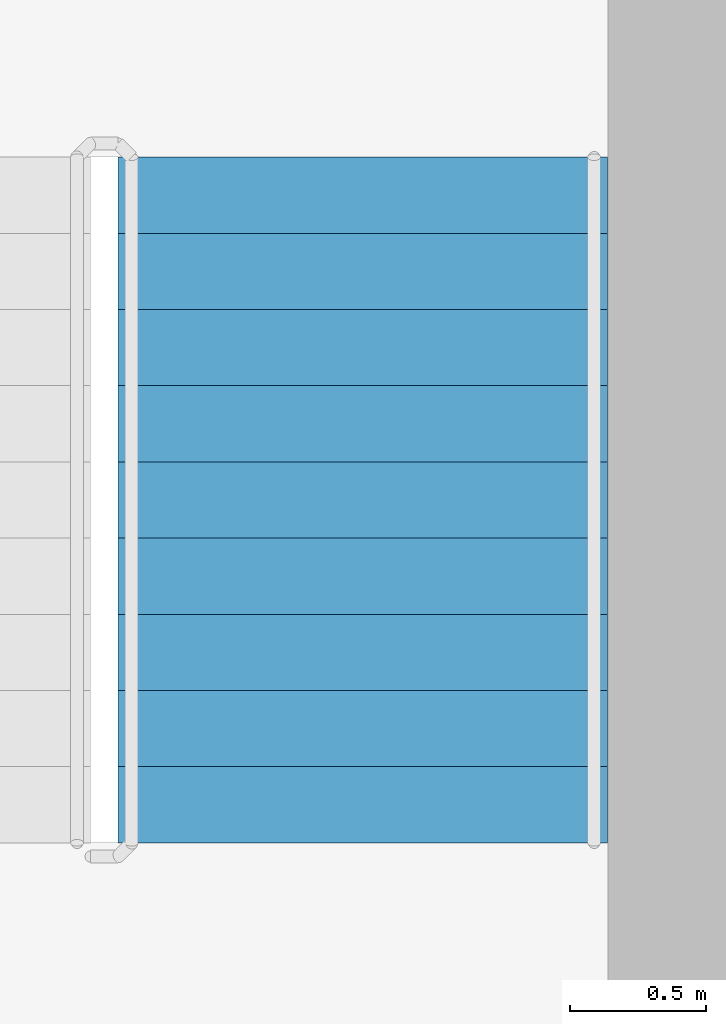
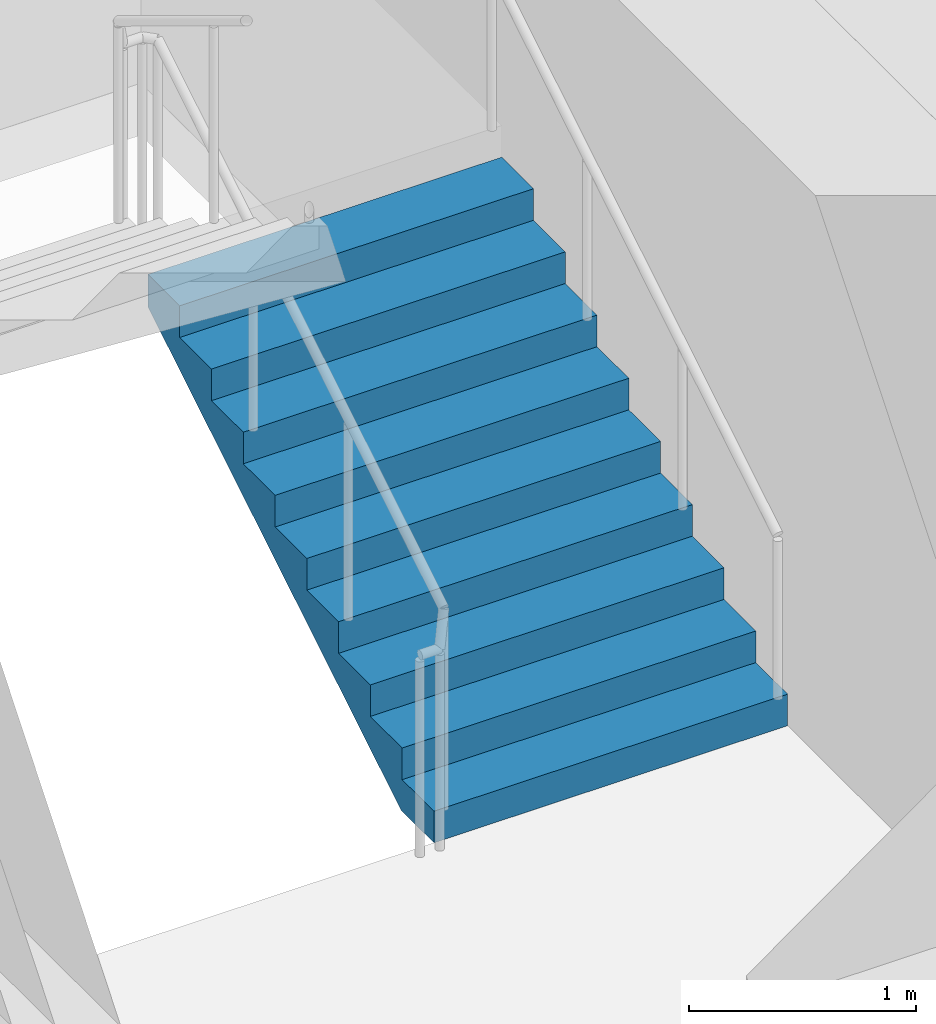
# One storey, part 18 of 22: 1 stair flight, 1 element without a shape of its own.
"""IFC4 building model written with IfcOpenShell, lengths in metres."""

from ifc_helpers import new_model, si_unit, direction, frame, origin, place, context, subcontext, project, spatial, triangles, source, transform, mapped, material, type_object, element, aggregate, save


model = new_model("IFC4")

# Units and contexts
model_context = context("Model", 3, precision=1e-05, world=origin(), true_north=direction((0.0, 1.0)))
body_context = subcontext(model_context, "Body", "Model", "MODEL_VIEW")
ifc_project = project(units=[si_unit("LENGTHUNIT", "METRE"), si_unit("AREAUNIT", "SQUARE_METRE"), si_unit("VOLUMEUNIT", "CUBIC_METRE"), si_unit("PLANEANGLEUNIT", "RADIAN"), si_unit("MASSUNIT", "GRAM", prefix="KILO")], contexts=[model_context])

# Site, building, storey
site_placement = place(None, origin())
site = spatial("IfcSite", under=ifc_project, at=site_placement, CompositionType="ELEMENT")
building_placement = place(site_placement, origin())
building = spatial("IfcBuilding", under=site, at=building_placement, Name="Kilnfold Tower and Market Hall", CompositionType="ELEMENT")
storey_placement = place(building_placement, frame((0.0, 0.0, 220.300048828125)))
storey = spatial("IfcBuildingStorey", under=building, at=storey_placement, Name="L54", CompositionType="ELEMENT", Elevation=220.300048828125)

# Stair, stair flight
ifc_material_1 = material(Name="Concrete C40/50", Category="concrete")
stair_type = type_object("IfcStairType", Name="CORE STAIR 1800", PredefinedType="HALF_TURN_STAIR", material=ifc_material_1)
stair_placement = place(storey_placement, origin())
stair = element("IfcStair", 1, at=stair_placement, inside=storey, type_object=stair_type, Name="L54 ST2", PredefinedType="HALF_TURN_STAIR")
ifc_material_2 = material(Name="Concrete C40/50", Category="concrete")
stair_flight_type = type_object("IfcStairFlightType", Name="CORE STAIR FLIGHT 1800", PredefinedType="STRAIGHT", material=ifc_material_2)
shared_shape = source(origin(), body_context, "Body", "Tessellation", [
    triangles([(0.0, 0.89990234375, 0.0), (0.0, 0.78759765625, 0.0), (0.0, 0.675048828125, 0.0), (0.0, 0.5625, 0.0), (0.0, 0.449951171875, 0.0), (0.0, 0.33740234375, 0.0), (0.0, 0.22509765625, 0.0), (0.0, 0.112548828125, 0.0), (0.0, 0.0, 0.0), (0.0, -0.112548828125, 0.0), (0.0, -0.22509765625, 0.0), (0.0, -0.33740234375, 0.0), (0.0, -0.449951171875, 0.0), (0.0, -0.5625, 0.0), (0.0, -0.675048828125, 0.0), (0.0, -0.78759765625, 0.0), (0.0, -0.89990234375, 0.0), (0.0, 0.89990234375, 0.169921875), (0.0, 0.78759765625, 0.169921875), (0.0, 0.675048828125, 0.169921875), (0.0, 0.5625, 0.169921875), (0.0, 0.449951171875, 0.169921875), (0.0, 0.33740234375, 0.169921875), (0.0, 0.22509765625, 0.169921875), (0.0, 0.112548828125, 0.169921875), (0.0, 0.0, 0.169921875), (0.0, -0.112548828125, 0.169921875), (0.0, -0.22509765625, 0.169921875), (0.0, -0.33740234375, 0.169921875), (0.0, -0.449951171875, 0.169921875), (0.0, -0.5625, 0.169921875), (0.0, -0.675048828125, 0.169921875), (0.0, -0.78759765625, 0.169921875), (0.0, -0.89990234375, 0.169921875), (0.280029296875, 0.89990234375, 0.169921875), (0.280029296875, 0.78759765625, 0.169921875), (0.280029296875, 0.675048828125, 0.169921875), (0.280029296875, 0.5625, 0.169921875), (0.280029296875, 0.449951171875, 0.169921875), (0.280029296875, 0.33740234375, 0.169921875), (0.280029296875, 0.22509765625, 0.169921875), (0.280029296875, 0.112548828125, 0.169921875), (0.280029296875, 0.0, 0.169921875), (0.280029296875, -0.112548828125, 0.169921875), (0.280029296875, -0.22509765625, 0.169921875), (0.280029296875, -0.33740234375, 0.169921875), (0.280029296875, -0.449951171875, 0.169921875), (0.280029296875, -0.5625, 0.169921875), (0.280029296875, -0.675048828125, 0.169921875), (0.280029296875, -0.78759765625, 0.169921875), (0.280029296875, -0.89990234375, 0.169921875), (0.280029296875, 0.89990234375, 0.340087890625), (0.280029296875, 0.78759765625, 0.340087890625), (0.280029296875, 0.675048828125, 0.340087890625), (0.280029296875, 0.5625, 0.340087890625), (0.280029296875, 0.449951171875, 0.340087890625), (0.280029296875, 0.33740234375, 0.340087890625), (0.280029296875, 0.22509765625, 0.340087890625), (0.280029296875, 0.112548828125, 0.340087890625), (0.280029296875, 0.0, 0.340087890625), (0.280029296875, -0.112548828125, 0.340087890625), (0.280029296875, -0.22509765625, 0.340087890625), (0.280029296875, -0.33740234375, 0.340087890625), (0.280029296875, -0.449951171875, 0.340087890625), (0.280029296875, -0.5625, 0.340087890625), (0.280029296875, -0.675048828125, 0.340087890625), (0.280029296875, -0.78759765625, 0.340087890625), (0.280029296875, -0.89990234375, 0.340087890625), (0.56005859375, 0.89990234375, 0.340087890625), (0.56005859375, 0.78759765625, 0.340087890625), (0.56005859375, 0.675048828125, 0.340087890625), (0.56005859375, 0.5625, 0.340087890625), (0.56005859375, 0.449951171875, 0.340087890625), (0.56005859375, 0.33740234375, 0.340087890625), (0.56005859375, 0.22509765625, 0.340087890625), (0.56005859375, 0.112548828125, 0.340087890625), (0.56005859375, 0.0, 0.340087890625), (0.56005859375, -0.112548828125, 0.340087890625), (0.56005859375, -0.22509765625, 0.340087890625), (0.56005859375, -0.33740234375, 0.340087890625), (0.56005859375, -0.449951171875, 0.340087890625), (0.56005859375, -0.5625, 0.340087890625), (0.56005859375, -0.675048828125, 0.340087890625), (0.56005859375, -0.78759765625, 0.340087890625), (0.56005859375, -0.89990234375, 0.340087890625), (0.56005859375, 0.89990234375, 0.510009765625), (0.56005859375, 0.78759765625, 0.510009765625), (0.56005859375, 0.675048828125, 0.510009765625), (0.56005859375, 0.5625, 0.510009765625), (0.56005859375, 0.449951171875, 0.510009765625), (0.56005859375, 0.33740234375, 0.510009765625), (0.56005859375, 0.22509765625, 0.510009765625), (0.56005859375, 0.112548828125, 0.510009765625), (0.56005859375, 0.0, 0.510009765625), (0.56005859375, -0.112548828125, 0.510009765625), (0.56005859375, -0.22509765625, 0.510009765625), (0.56005859375, -0.33740234375, 0.510009765625), (0.56005859375, -0.449951171875, 0.510009765625), (0.56005859375, -0.5625, 0.510009765625), (0.56005859375, -0.675048828125, 0.510009765625), (0.56005859375, -0.78759765625, 0.510009765625), (0.56005859375, -0.89990234375, 0.510009765625), (0.840087890625, 0.89990234375, 0.510009765625), (0.840087890625, 0.78759765625, 0.510009765625), (0.840087890625, 0.675048828125, 0.510009765625), (0.840087890625, 0.5625, 0.510009765625), (0.840087890625, 0.449951171875, 0.510009765625), (0.840087890625, 0.33740234375, 0.510009765625), (0.840087890625, 0.22509765625, 0.510009765625), (0.840087890625, 0.112548828125, 0.510009765625), (0.840087890625, 0.0, 0.510009765625), (0.840087890625, -0.112548828125, 0.510009765625), (0.840087890625, -0.22509765625, 0.510009765625), (0.840087890625, -0.33740234375, 0.510009765625), (0.840087890625, -0.449951171875, 0.510009765625), (0.840087890625, -0.5625, 0.510009765625), (0.840087890625, -0.675048828125, 0.510009765625), (0.840087890625, -0.78759765625, 0.510009765625), (0.840087890625, -0.89990234375, 0.510009765625), (0.840087890625, 0.89990234375, 0.679931640625), (0.840087890625, 0.78759765625, 0.679931640625), (0.840087890625, 0.675048828125, 0.679931640625), (0.840087890625, 0.5625, 0.679931640625), (0.840087890625, 0.449951171875, 0.679931640625), (0.840087890625, 0.33740234375, 0.679931640625), (0.840087890625, 0.22509765625, 0.679931640625), (0.840087890625, 0.112548828125, 0.679931640625), (0.840087890625, 0.0, 0.679931640625), (0.840087890625, -0.112548828125, 0.679931640625), (0.840087890625, -0.22509765625, 0.679931640625), (0.840087890625, -0.33740234375, 0.679931640625), (0.840087890625, -0.449951171875, 0.679931640625), (0.840087890625, -0.5625, 0.679931640625), (0.840087890625, -0.675048828125, 0.679931640625), (0.840087890625, -0.78759765625, 0.679931640625), (0.840087890625, -0.89990234375, 0.679931640625), (1.1201171875, 0.89990234375, 0.679931640625), (1.1201171875, 0.78759765625, 0.679931640625), (1.1201171875, 0.675048828125, 0.679931640625), (1.1201171875, 0.5625, 0.679931640625), (1.1201171875, 0.449951171875, 0.679931640625), (1.1201171875, 0.33740234375, 0.679931640625), (1.1201171875, 0.22509765625, 0.679931640625), (1.1201171875, 0.112548828125, 0.679931640625), (1.1201171875, 0.0, 0.679931640625), (1.1201171875, -0.112548828125, 0.679931640625), (1.1201171875, -0.22509765625, 0.679931640625), (1.1201171875, -0.33740234375, 0.679931640625), (1.1201171875, -0.449951171875, 0.679931640625), (1.1201171875, -0.5625, 0.679931640625), (1.1201171875, -0.675048828125, 0.679931640625), (1.1201171875, -0.78759765625, 0.679931640625), (1.1201171875, -0.89990234375, 0.679931640625), (1.1201171875, 0.89990234375, 0.85009765625), (1.1201171875, 0.78759765625, 0.85009765625), (1.1201171875, 0.675048828125, 0.85009765625), (1.1201171875, 0.5625, 0.85009765625), (1.1201171875, 0.449951171875, 0.85009765625), (1.1201171875, 0.33740234375, 0.85009765625), (1.1201171875, 0.22509765625, 0.85009765625), (1.1201171875, 0.112548828125, 0.85009765625), (1.1201171875, 0.0, 0.85009765625), (1.1201171875, -0.112548828125, 0.85009765625), (1.1201171875, -0.22509765625, 0.85009765625), (1.1201171875, -0.33740234375, 0.85009765625), (1.1201171875, -0.449951171875, 0.85009765625), (1.1201171875, -0.5625, 0.85009765625), (1.1201171875, -0.675048828125, 0.85009765625), (1.1201171875, -0.78759765625, 0.85009765625), (1.1201171875, -0.89990234375, 0.85009765625), (1.39990234375, 0.89990234375, 0.85009765625), (1.39990234375, 0.78759765625, 0.85009765625), (1.39990234375, 0.675048828125, 0.85009765625), (1.39990234375, 0.5625, 0.85009765625), (1.39990234375, 0.449951171875, 0.85009765625), (1.39990234375, 0.33740234375, 0.85009765625), (1.39990234375, 0.22509765625, 0.85009765625), (1.39990234375, 0.112548828125, 0.85009765625), (1.39990234375, 0.0, 0.85009765625), (1.39990234375, -0.112548828125, 0.85009765625), (1.39990234375, -0.22509765625, 0.85009765625), (1.39990234375, -0.33740234375, 0.85009765625), (1.39990234375, -0.449951171875, 0.85009765625), (1.39990234375, -0.5625, 0.85009765625), (1.39990234375, -0.675048828125, 0.85009765625), (1.39990234375, -0.78759765625, 0.85009765625), (1.39990234375, -0.89990234375, 0.85009765625), (1.39990234375, 0.89990234375, 1.02001953125), (1.39990234375, 0.78759765625, 1.02001953125), (1.39990234375, 0.675048828125, 1.02001953125), (1.39990234375, 0.5625, 1.02001953125), (1.39990234375, 0.449951171875, 1.02001953125), (1.39990234375, 0.33740234375, 1.02001953125), (1.39990234375, 0.22509765625, 1.02001953125), (1.39990234375, 0.112548828125, 1.02001953125), (1.39990234375, 0.0, 1.02001953125), (1.39990234375, -0.112548828125, 1.02001953125), (1.39990234375, -0.22509765625, 1.02001953125), (1.39990234375, -0.33740234375, 1.02001953125), (1.39990234375, -0.449951171875, 1.02001953125), (1.39990234375, -0.5625, 1.02001953125), (1.39990234375, -0.675048828125, 1.02001953125), (1.39990234375, -0.78759765625, 1.02001953125), (1.39990234375, -0.89990234375, 1.02001953125), (1.679931640625, 0.89990234375, 1.02001953125), (1.679931640625, 0.78759765625, 1.02001953125), (1.679931640625, 0.675048828125, 1.02001953125), (1.679931640625, 0.5625, 1.02001953125), (1.679931640625, 0.449951171875, 1.02001953125), (1.679931640625, 0.33740234375, 1.02001953125), (1.679931640625, 0.22509765625, 1.02001953125), (1.679931640625, 0.112548828125, 1.02001953125), (1.679931640625, 0.0, 1.02001953125), (1.679931640625, -0.112548828125, 1.02001953125), (1.679931640625, -0.22509765625, 1.02001953125), (1.679931640625, -0.33740234375, 1.02001953125), (1.679931640625, -0.449951171875, 1.02001953125), (1.679931640625, -0.5625, 1.02001953125), (1.679931640625, -0.675048828125, 1.02001953125), (1.679931640625, -0.78759765625, 1.02001953125), (1.679931640625, -0.89990234375, 1.02001953125), (1.679931640625, 0.89990234375, 1.18994140625), (1.679931640625, 0.78759765625, 1.18994140625), (1.679931640625, 0.675048828125, 1.18994140625), (1.679931640625, 0.5625, 1.18994140625), (1.679931640625, 0.449951171875, 1.18994140625), (1.679931640625, 0.33740234375, 1.18994140625), (1.679931640625, 0.22509765625, 1.18994140625), (1.679931640625, 0.112548828125, 1.18994140625), (1.679931640625, 0.0, 1.18994140625), (1.679931640625, -0.112548828125, 1.18994140625), (1.679931640625, -0.22509765625, 1.18994140625), (1.679931640625, -0.33740234375, 1.18994140625), (1.679931640625, -0.449951171875, 1.18994140625), (1.679931640625, -0.5625, 1.18994140625), (1.679931640625, -0.675048828125, 1.18994140625), (1.679931640625, -0.78759765625, 1.18994140625), (1.679931640625, -0.89990234375, 1.18994140625), (1.9599609375, 0.89990234375, 1.18994140625), (1.9599609375, 0.78759765625, 1.18994140625), (1.9599609375, 0.675048828125, 1.18994140625), (1.9599609375, 0.5625, 1.18994140625), (1.9599609375, 0.449951171875, 1.18994140625), (1.9599609375, 0.33740234375, 1.18994140625), (1.9599609375, 0.22509765625, 1.18994140625), (1.9599609375, 0.112548828125, 1.18994140625), (1.9599609375, 0.0, 1.18994140625), (1.9599609375, -0.112548828125, 1.18994140625), (1.9599609375, -0.22509765625, 1.18994140625), (1.9599609375, -0.33740234375, 1.18994140625), (1.9599609375, -0.449951171875, 1.18994140625), (1.9599609375, -0.5625, 1.18994140625), (1.9599609375, -0.675048828125, 1.18994140625), (1.9599609375, -0.78759765625, 1.18994140625), (1.9599609375, -0.89990234375, 1.18994140625), (1.9599609375, 0.89990234375, 1.360107421875), (1.9599609375, 0.78759765625, 1.360107421875), (1.9599609375, 0.675048828125, 1.360107421875), (1.9599609375, 0.5625, 1.360107421875), (1.9599609375, 0.449951171875, 1.360107421875), (1.9599609375, 0.33740234375, 1.360107421875), (1.9599609375, 0.22509765625, 1.360107421875), (1.9599609375, 0.112548828125, 1.360107421875), (1.9599609375, 0.0, 1.360107421875), (1.9599609375, -0.112548828125, 1.360107421875), (1.9599609375, -0.22509765625, 1.360107421875), (1.9599609375, -0.33740234375, 1.360107421875), (1.9599609375, -0.449951171875, 1.360107421875), (1.9599609375, -0.5625, 1.360107421875), (1.9599609375, -0.675048828125, 1.360107421875), (1.9599609375, -0.78759765625, 1.360107421875), (1.9599609375, -0.89990234375, 1.360107421875), (2.239990234375, 0.89990234375, 1.360107421875), (2.239990234375, 0.78759765625, 1.360107421875), (2.239990234375, 0.675048828125, 1.360107421875), (2.239990234375, 0.5625, 1.360107421875), (2.239990234375, 0.449951171875, 1.360107421875), (2.239990234375, 0.33740234375, 1.360107421875), (2.239990234375, 0.22509765625, 1.360107421875), (2.239990234375, 0.112548828125, 1.360107421875), (2.239990234375, 0.0, 1.360107421875), (2.239990234375, -0.112548828125, 1.360107421875), (2.239990234375, -0.22509765625, 1.360107421875), (2.239990234375, -0.33740234375, 1.360107421875), (2.239990234375, -0.449951171875, 1.360107421875), (2.239990234375, -0.5625, 1.360107421875), (2.239990234375, -0.675048828125, 1.360107421875), (2.239990234375, -0.78759765625, 1.360107421875), (2.239990234375, -0.89990234375, 1.360107421875), (2.239990234375, 0.89990234375, 1.530029296875), (2.239990234375, 0.78759765625, 1.530029296875), (2.239990234375, 0.675048828125, 1.530029296875), (2.239990234375, 0.5625, 1.530029296875), (2.239990234375, 0.449951171875, 1.530029296875), (2.239990234375, 0.33740234375, 1.530029296875), (2.239990234375, 0.22509765625, 1.530029296875), (2.239990234375, 0.112548828125, 1.530029296875), (2.239990234375, 0.0, 1.530029296875), (2.239990234375, -0.112548828125, 1.530029296875), (2.239990234375, -0.22509765625, 1.530029296875), (2.239990234375, -0.33740234375, 1.530029296875), (2.239990234375, -0.449951171875, 1.530029296875), (2.239990234375, -0.5625, 1.530029296875), (2.239990234375, -0.675048828125, 1.530029296875), (2.239990234375, -0.78759765625, 1.530029296875), (2.239990234375, -0.89990234375, 1.530029296875), (2.52001953125, 0.89990234375, 1.530029296875), (2.52001953125, 0.78759765625, 1.530029296875), (2.52001953125, 0.675048828125, 1.530029296875), (2.52001953125, 0.5625, 1.530029296875), (2.52001953125, 0.449951171875, 1.530029296875), (2.52001953125, 0.33740234375, 1.530029296875), (2.52001953125, 0.22509765625, 1.530029296875), (2.52001953125, 0.112548828125, 1.530029296875), (2.52001953125, 0.0, 1.530029296875), (2.52001953125, -0.112548828125, 1.530029296875), (2.52001953125, -0.22509765625, 1.530029296875), (2.52001953125, -0.33740234375, 1.530029296875), (2.52001953125, -0.449951171875, 1.530029296875), (2.52001953125, -0.5625, 1.530029296875), (2.52001953125, -0.675048828125, 1.530029296875), (2.52001953125, -0.78759765625, 1.530029296875), (2.52001953125, -0.89990234375, 1.530029296875), (2.52001953125, 0.89990234375, 1.354736328125), (2.52001953125, 0.78759765625, 1.354736328125), (2.52001953125, 0.675048828125, 1.354736328125), (2.52001953125, 0.5625, 1.354736328125), (2.52001953125, 0.449951171875, 1.354736328125), (2.52001953125, 0.33740234375, 1.354736328125), (2.52001953125, 0.22509765625, 1.354736328125), (2.52001953125, 0.112548828125, 1.354736328125), (2.52001953125, 0.0, 1.354736328125), (2.52001953125, -0.112548828125, 1.354736328125), (2.52001953125, -0.22509765625, 1.354736328125), (2.52001953125, -0.33740234375, 1.354736328125), (2.52001953125, -0.449951171875, 1.354736328125), (2.52001953125, -0.5625, 1.354736328125), (2.52001953125, -0.675048828125, 1.354736328125), (2.52001953125, -0.78759765625, 1.354736328125), (2.52001953125, -0.89990234375, 1.354736328125), (0.288818359375, 0.89990234375, 0.0), (0.288818359375, 0.78759765625, 0.0), (0.288818359375, 0.675048828125, 0.0), (0.288818359375, 0.5625, 0.0), (0.288818359375, 0.449951171875, 0.0), (0.288818359375, 0.33740234375, 0.0), (0.288818359375, 0.22509765625, 0.0), (0.288818359375, 0.112548828125, 0.0), (0.288818359375, 0.0, 0.0), (0.288818359375, -0.112548828125, 0.0), (0.288818359375, -0.22509765625, 0.0), (0.288818359375, -0.33740234375, 0.0), (0.288818359375, -0.449951171875, 0.0), (0.288818359375, -0.5625, 0.0), (0.288818359375, -0.675048828125, 0.0), (0.288818359375, -0.78759765625, 0.0), (0.288818359375, -0.89990234375, 0.0)], [[1, 324, 341], [17, 357, 340], [324, 290, 307], [340, 323, 306], [324, 273, 290], [340, 306, 289], [324, 256, 273], [340, 289, 272], [324, 239, 256], [340, 272, 255], [239, 205, 222], [255, 238, 221], [324, 205, 239], [340, 255, 221], [205, 171, 188], [221, 204, 187], [324, 171, 205], [340, 221, 187], [171, 137, 154], [187, 170, 153], [324, 137, 171], [340, 187, 153], [137, 103, 120], [153, 136, 119], [324, 103, 137], [340, 153, 119], [103, 69, 86], [119, 102, 85], [324, 69, 103], [340, 119, 85], [69, 35, 52], [85, 68, 51], [324, 35, 69], [340, 85, 51], [1, 35, 324], [17, 340, 51], [35, 1, 18], [51, 34, 17], [1, 19, 18], [1, 2, 19], [2, 20, 19], [2, 3, 20], [3, 21, 20], [3, 4, 21], [4, 22, 21], [4, 5, 22], [5, 23, 22], [5, 6, 23], [6, 24, 23], [6, 7, 24], [7, 25, 24], [7, 8, 25], [8, 26, 25], [8, 9, 26], [9, 27, 26], [9, 10, 27], [10, 28, 27], [10, 11, 28], [11, 29, 28], [11, 12, 29], [12, 30, 29], [12, 13, 30], [13, 31, 30], [13, 14, 31], [14, 32, 31], [14, 15, 32], [15, 33, 32], [15, 16, 33], [16, 34, 33], [16, 17, 34], [18, 36, 35], [18, 19, 36], [19, 37, 36], [19, 20, 37], [20, 38, 37], [20, 21, 38], [21, 39, 38], [21, 22, 39], [22, 40, 39], [22, 23, 40], [23, 41, 40], [23, 24, 41], [24, 42, 41], [24, 25, 42], [25, 43, 42], [25, 26, 43], [26, 44, 43], [26, 27, 44], [27, 45, 44], [27, 28, 45], [28, 46, 45], [28, 29, 46], [29, 47, 46], [29, 30, 47], [30, 48, 47], [30, 31, 48], [31, 49, 48], [31, 32, 49], [32, 50, 49], [32, 33, 50], [33, 51, 50], [33, 34, 51], [35, 53, 52], [35, 36, 53], [36, 54, 53], [36, 37, 54], [37, 55, 54], [37, 38, 55], [38, 56, 55], [38, 39, 56], [39, 57, 56], [39, 40, 57], [40, 58, 57], [40, 41, 58], [41, 59, 58], [41, 42, 59], [42, 60, 59], [42, 43, 60], [43, 61, 60], [43, 44, 61], [44, 62, 61], [44, 45, 62], [45, 63, 62], [45, 46, 63], [46, 64, 63], [46, 47, 64], [47, 65, 64], [47, 48, 65], [48, 66, 65], [48, 49, 66], [49, 67, 66], [49, 50, 67], [50, 68, 67], [50, 51, 68], [52, 70, 69], [52, 53, 70], [53, 71, 70], [53, 54, 71], [54, 72, 71], [54, 55, 72], [55, 73, 72], [55, 56, 73], [56, 74, 73], [56, 57, 74], [57, 75, 74], [57, 58, 75], [58, 76, 75], [58, 59, 76], [59, 77, 76], [59, 60, 77], [60, 78, 77], [60, 61, 78], [61, 79, 78], [61, 62, 79], [62, 80, 79], [62, 63, 80], [63, 81, 80], [63, 64, 81], [64, 82, 81], [64, 65, 82], [65, 83, 82], [65, 66, 83], [66, 84, 83], [66, 67, 84], [67, 85, 84], [67, 68, 85], [69, 87, 86], [69, 70, 87], [70, 88, 87], [70, 71, 88], [71, 89, 88], [71, 72, 89], [72, 90, 89], [72, 73, 90], [73, 91, 90], [73, 74, 91], [74, 92, 91], [74, 75, 92], [75, 93, 92], [75, 76, 93], [76, 94, 93], [76, 77, 94], [77, 95, 94], [77, 78, 95], [78, 96, 95], [78, 79, 96], [79, 97, 96], [79, 80, 97], [80, 98, 97], [80, 81, 98], [81, 99, 98], [81, 82, 99], [82, 100, 99], [82, 83, 100], [83, 101, 100], [83, 84, 101], [84, 102, 101], [84, 85, 102], [86, 104, 103], [86, 87, 104], [87, 105, 104], [87, 88, 105], [88, 106, 105], [88, 89, 106], [89, 107, 106], [89, 90, 107], [90, 108, 107], [90, 91, 108], [91, 109, 108], [91, 92, 109], [92, 110, 109], [92, 93, 110], [93, 111, 110], [93, 94, 111], [94, 112, 111], [94, 95, 112], [95, 113, 112], [95, 96, 113], [96, 114, 113], [96, 97, 114], [97, 115, 114], [97, 98, 115], [98, 116, 115], [98, 99, 116], [99, 117, 116], [99, 100, 117], [100, 118, 117], [100, 101, 118], [101, 119, 118], [101, 102, 119], [103, 121, 120], [103, 104, 121], [104, 122, 121], [104, 105, 122], [105, 123, 122], [105, 106, 123], [106, 124, 123], [106, 107, 124], [107, 125, 124], [107, 108, 125], [108, 126, 125], [108, 109, 126], [109, 127, 126], [109, 110, 127], [110, 128, 127], [110, 111, 128], [111, 129, 128], [111, 112, 129], [112, 130, 129], [112, 113, 130], [113, 131, 130], [113, 114, 131], [114, 132, 131], [114, 115, 132], [115, 133, 132], [115, 116, 133], [116, 134, 133], [116, 117, 134], [117, 135, 134], [117, 118, 135], [118, 136, 135], [118, 119, 136], [120, 138, 137], [120, 121, 138], [121, 139, 138], [121, 122, 139], [122, 140, 139], [122, 123, 140], [123, 141, 140], [123, 124, 141], [124, 142, 141], [124, 125, 142], [125, 143, 142], [125, 126, 143], [126, 144, 143], [126, 127, 144], [127, 145, 144], [127, 128, 145], [128, 146, 145], [128, 129, 146], [129, 147, 146], [129, 130, 147], [130, 148, 147], [130, 131, 148], [131, 149, 148], [131, 132, 149], [132, 150, 149], [132, 133, 150], [133, 151, 150], [133, 134, 151], [134, 152, 151], [134, 135, 152], [135, 153, 152], [135, 136, 153], [137, 155, 154], [137, 138, 155], [138, 156, 155], [138, 139, 156], [139, 157, 156], [139, 140, 157], [140, 158, 157], [140, 141, 158], [141, 159, 158], [141, 142, 159], [142, 160, 159], [142, 143, 160], [143, 161, 160], [143, 144, 161], [144, 162, 161], [144, 145, 162], [145, 163, 162], [145, 146, 163], [146, 164, 163], [146, 147, 164], [147, 165, 164], [147, 148, 165], [148, 166, 165], [148, 149, 166], [149, 167, 166], [149, 150, 167], [150, 168, 167], [150, 151, 168], [151, 169, 168], [151, 152, 169], [152, 170, 169], [152, 153, 170], [154, 172, 171], [154, 155, 172], [155, 173, 172], [155, 156, 173], [156, 174, 173], [156, 157, 174], [157, 175, 174], [157, 158, 175], [158, 176, 175], [158, 159, 176], [159, 177, 176], [159, 160, 177], [160, 178, 177], [160, 161, 178], [161, 179, 178], [161, 162, 179], [162, 180, 179], [162, 163, 180], [163, 181, 180], [163, 164, 181], [164, 182, 181], [164, 165, 182], [165, 183, 182], [165, 166, 183], [166, 184, 183], [166, 167, 184], [167, 185, 184], [167, 168, 185], [168, 186, 185], [168, 169, 186], [169, 187, 186], [169, 170, 187], [171, 189, 188], [171, 172, 189], [172, 190, 189], [172, 173, 190], [173, 191, 190], [173, 174, 191], [174, 192, 191], [174, 175, 192], [175, 193, 192], [175, 176, 193], [176, 194, 193], [176, 177, 194], [177, 195, 194], [177, 178, 195], [178, 196, 195], [178, 179, 196], [179, 197, 196], [179, 180, 197], [180, 198, 197], [180, 181, 198], [181, 199, 198], [181, 182, 199], [182, 200, 199], [182, 183, 200], [183, 201, 200], [183, 184, 201], [184, 202, 201], [184, 185, 202], [185, 203, 202], [185, 186, 203], [186, 204, 203], [186, 187, 204], [188, 206, 205], [188, 189, 206], [189, 207, 206], [189, 190, 207], [190, 208, 207], [190, 191, 208], [191, 209, 208], [191, 192, 209], [192, 210, 209], [192, 193, 210], [193, 211, 210], [193, 194, 211], [194, 212, 211], [194, 195, 212], [195, 213, 212], [195, 196, 213], [196, 214, 213], [196, 197, 214], [197, 215, 214], [197, 198, 215], [198, 216, 215], [198, 199, 216], [199, 217, 216], [199, 200, 217], [200, 218, 217], [200, 201, 218], [201, 219, 218], [201, 202, 219], [202, 220, 219], [202, 203, 220], [203, 221, 220], [203, 204, 221], [205, 223, 222], [205, 206, 223], [206, 224, 223], [206, 207, 224], [207, 225, 224], [207, 208, 225], [208, 226, 225], [208, 209, 226], [209, 227, 226], [209, 210, 227], [210, 228, 227], [210, 211, 228], [211, 229, 228], [211, 212, 229], [212, 230, 229], [212, 213, 230], [213, 231, 230], [213, 214, 231], [214, 232, 231], [214, 215, 232], [215, 233, 232], [215, 216, 233], [216, 234, 233], [216, 217, 234], [217, 235, 234], [217, 218, 235], [218, 236, 235], [218, 219, 236], [219, 237, 236], [219, 220, 237], [220, 238, 237], [220, 221, 238], [222, 240, 239], [222, 223, 240], [223, 241, 240], [223, 224, 241], [224, 242, 241], [224, 225, 242], [225, 243, 242], [225, 226, 243], [226, 244, 243], [226, 227, 244], [227, 245, 244], [227, 228, 245], [228, 246, 245], [228, 229, 246], [229, 247, 246], [229, 230, 247], [230, 248, 247], [230, 231, 248], [231, 249, 248], [231, 232, 249], [232, 250, 249], [232, 233, 250], [233, 251, 250], [233, 234, 251], [234, 252, 251], [234, 235, 252], [235, 253, 252], [235, 236, 253], [236, 254, 253], [236, 237, 254], [237, 255, 254], [237, 238, 255], [239, 257, 256], [239, 240, 257], [240, 258, 257], [240, 241, 258], [241, 259, 258], [241, 242, 259], [242, 260, 259], [242, 243, 260], [243, 261, 260], [243, 244, 261], [244, 262, 261], [244, 245, 262], [245, 263, 262], [245, 246, 263], [246, 264, 263], [246, 247, 264], [247, 265, 264], [247, 248, 265], [248, 266, 265], [248, 249, 266], [249, 267, 266], [249, 250, 267], [250, 268, 267], [250, 251, 268], [251, 269, 268], [251, 252, 269], [252, 270, 269], [252, 253, 270], [253, 271, 270], [253, 254, 271], [254, 272, 271], [254, 255, 272], [256, 274, 273], [256, 257, 274], [257, 275, 274], [257, 258, 275], [258, 276, 275], [258, 259, 276], [259, 277, 276], [259, 260, 277], [260, 278, 277], [260, 261, 278], [261, 279, 278], [261, 262, 279], [262, 280, 279], [262, 263, 280], [263, 281, 280], [263, 264, 281], [264, 282, 281], [264, 265, 282], [265, 283, 282], [265, 266, 283], [266, 284, 283], [266, 267, 284], [267, 285, 284], [267, 268, 285], [268, 286, 285], [268, 269, 286], [269, 287, 286], [269, 270, 287], [270, 288, 287], [270, 271, 288], [271, 289, 288], [271, 272, 289], [273, 291, 290], [273, 274, 291], [274, 292, 291], [274, 275, 292], [275, 293, 292], [275, 276, 293], [276, 294, 293], [276, 277, 294], [277, 295, 294], [277, 278, 295], [278, 296, 295], [278, 279, 296], [279, 297, 296], [279, 280, 297], [280, 298, 297], [280, 281, 298], [281, 299, 298], [281, 282, 299], [282, 300, 299], [282, 283, 300], [283, 301, 300], [283, 284, 301], [284, 302, 301], [284, 285, 302], [285, 303, 302], [285, 286, 303], [286, 304, 303], [286, 287, 304], [287, 305, 304], [287, 288, 305], [288, 306, 305], [288, 289, 306], [290, 308, 307], [290, 291, 308], [291, 309, 308], [291, 292, 309], [292, 310, 309], [292, 293, 310], [293, 311, 310], [293, 294, 311], [294, 312, 311], [294, 295, 312], [295, 313, 312], [295, 296, 313], [296, 314, 313], [296, 297, 314], [297, 315, 314], [297, 298, 315], [298, 316, 315], [298, 299, 316], [299, 317, 316], [299, 300, 317], [300, 318, 317], [300, 301, 318], [301, 319, 318], [301, 302, 319], [302, 320, 319], [302, 303, 320], [303, 321, 320], [303, 304, 321], [304, 322, 321], [304, 305, 322], [305, 323, 322], [305, 306, 323], [307, 325, 324], [307, 308, 325], [308, 326, 325], [308, 309, 326], [309, 327, 326], [309, 310, 327], [310, 328, 327], [310, 311, 328], [311, 329, 328], [311, 312, 329], [312, 330, 329], [312, 313, 330], [313, 331, 330], [313, 314, 331], [314, 332, 331], [314, 315, 332], [315, 333, 332], [315, 316, 333], [316, 334, 333], [316, 317, 334], [317, 335, 334], [317, 318, 335], [318, 336, 335], [318, 319, 336], [319, 337, 336], [319, 320, 337], [320, 338, 337], [320, 321, 338], [321, 339, 338], [321, 322, 339], [322, 340, 339], [322, 323, 340], [324, 342, 341], [324, 325, 342], [325, 343, 342], [325, 326, 343], [326, 344, 343], [326, 327, 344], [327, 345, 344], [327, 328, 345], [328, 346, 345], [328, 329, 346], [329, 347, 346], [329, 330, 347], [330, 348, 347], [330, 331, 348], [331, 349, 348], [331, 332, 349], [332, 350, 349], [332, 333, 350], [333, 351, 350], [333, 334, 351], [334, 352, 351], [334, 335, 352], [335, 353, 352], [335, 336, 353], [336, 354, 353], [336, 337, 354], [337, 355, 354], [337, 338, 355], [338, 356, 355], [338, 339, 356], [339, 357, 356], [339, 340, 357], [341, 2, 1], [341, 342, 2], [342, 3, 2], [342, 343, 3], [343, 4, 3], [343, 344, 4], [344, 5, 4], [344, 345, 5], [345, 6, 5], [345, 346, 6], [346, 7, 6], [346, 347, 7], [347, 8, 7], [347, 348, 8], [348, 9, 8], [348, 349, 9], [349, 10, 9], [349, 350, 10], [350, 11, 10], [350, 351, 11], [351, 12, 11], [351, 352, 12], [352, 13, 12], [352, 353, 13], [353, 14, 13], [353, 354, 14], [354, 15, 14], [354, 355, 15], [355, 16, 15], [355, 356, 16], [356, 17, 16], [356, 357, 17]], closed=True),
])
stair_flight_placement = place(storey_placement, frame((16.199951171875, 10.800048828125, 0.0), z_axis=(0.0, 0.0, 1.0), x_axis=(0.0, 1.0, 0.0)))
stair_flight = element("IfcStairFlight", 2, at=stair_flight_placement, type_object=stair_flight_type, Name="ST2 flight 1", NumberOfRisers=10, NumberOfTreads=9, PredefinedType="STRAIGHT", RiserHeight=0.17, TreadLength=0.28, context=body_context, shape_type="MappedRepresentation", body=[
    mapped(shared_shape, transform((0.0, 0.0, 0.0))),
])
aggregate(stair, [stair_flight])

save(model, "model.ifc")
